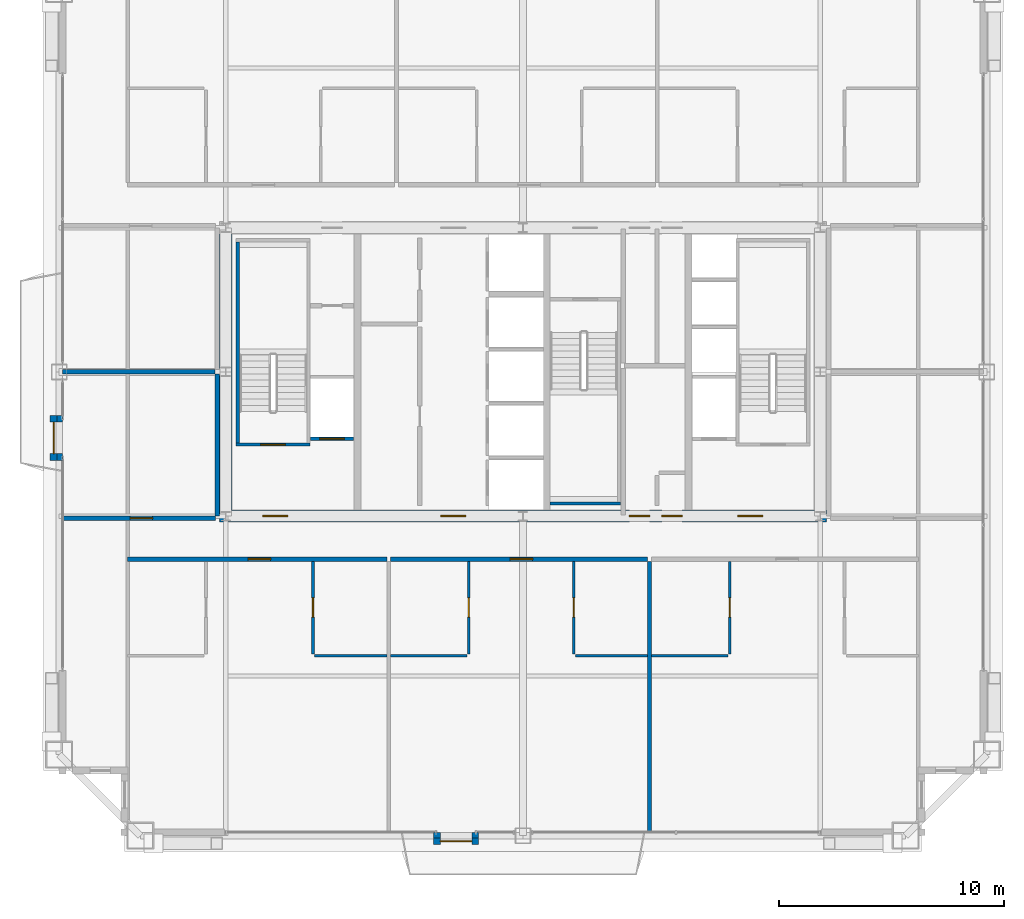
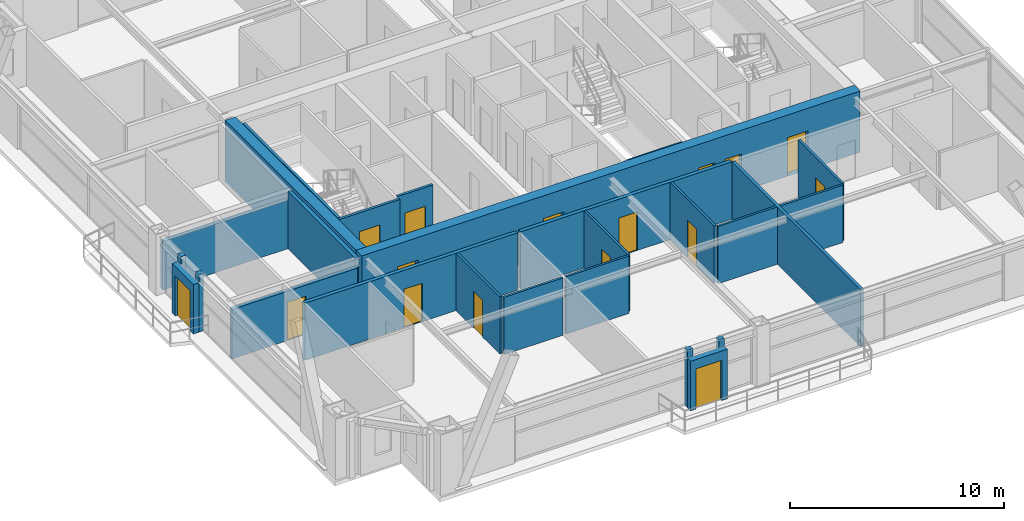
# One storey, part 29 of 33: 26 walls, 16 doors, 16 openings.
"""IFC4 building model written with IfcOpenShell, lengths in metres."""

from ifc_helpers import new_model, si_unit, direction, frame, frame_2d, origin, place, context, subcontext, project, spatial, rectangle, extrude, source, transform, mapped, material, layer, layer_set, type_object, element, fill, save


model = new_model("IFC4")

# Units and contexts
model_context = context("Model", 3, precision=1e-05, world=origin(), true_north=direction((0.0, 1.0)))
body_context = subcontext(model_context, "Body", "Model", "MODEL_VIEW")
ifc_project = project(units=[si_unit("LENGTHUNIT", "METRE"), si_unit("AREAUNIT", "SQUARE_METRE"), si_unit("VOLUMEUNIT", "CUBIC_METRE"), si_unit("PLANEANGLEUNIT", "RADIAN"), si_unit("MASSUNIT", "GRAM", prefix="KILO"), si_unit("THERMODYNAMICTEMPERATUREUNIT", "KELVIN"), si_unit("POWERUNIT", "WATT")], contexts=[model_context])

# Site, building, storey
site_placement = place(None, origin())
site = spatial("IfcSite", under=ifc_project, at=site_placement, CompositionType="ELEMENT")
building_placement = place(site_placement, origin())
building = spatial("IfcBuilding", under=site, at=building_placement, Name="Yuzanri Waterfront Tower", CompositionType="ELEMENT")
storey_placement = place(building_placement, frame((0.0, 0.0, 234.60009765625)))
storey = spatial("IfcBuildingStorey", under=building, at=storey_placement, Name="L62", CompositionType="ELEMENT", Elevation=234.60009765625)

# Wall, opening, door
ifc_material_1 = material(Name="Moisture-Resistant Gypsum Stud Wall", Category="gypsum")
ifc_layer_1 = layer(ifc_material_1, 0.1201171875)
ifc_layer_set_1 = layer_set([ifc_layer_1], Name="Moisture-Resistant Gypsum Stud Wall")
wall_type_1 = type_object("IfcWallType", Name="Bathroom and Kitchen Wet Partition 120", PredefinedType="PARTITIONING", material=ifc_layer_set_1)
wall_1_placement = place(storey_placement, frame((27.669921875, 13.280029296875, 0.0), z_axis=(0.0, 0.0, 1.0), x_axis=(0.0, 1.0, 0.0)))
wall_1 = element("IfcWall", 1, at=wall_1_placement, inside=storey, type_object=wall_type_1, Name="L62 Partition UW-L62-RS1-SUB-2-W", PredefinedType="PARTITIONING", context=body_context, shape_type="SweptSolid", body=[
    extrude(rectangle(XDim=4.10986328125, YDim=0.1201171875, at=frame_2d((2.054931640625, 0.0))), origin(), (0.0, 0.0, 1.0), 3.27978515625),
])
opening_1_placement = place(wall_1_placement, frame((1.6298828125, 0.0, 0.0)))
opening_1 = element("IfcOpeningElement", 2, at=opening_1_placement, cuts=wall_1, Name="Opening ID-0850", PredefinedType="OPENING", context=body_context, shape_type="SweptSolid", body=[
    extrude(rectangle(XDim=0.85009765625, YDim=2.10009765625, at=frame_2d((0.425048828125, 1.050048828125))), frame((0.0, 0.074951171875, 0.0), z_axis=(0.0, -1.0, 0.0), x_axis=(1.0, 0.0, 0.0)), (0.0, 0.0, 1.0), 0.14990234375),
])
ifc_material_2 = material(Name="Moisture-Resistant Lacquered Timber", Category="wood")
door_type_1 = type_object("IfcDoorType", Name="En-Suite Bathroom and Kitchen Swing Door 850x2100", OperationType="NOTDEFINED", PredefinedType="DOOR", material=ifc_material_2)
shared_shape_1 = source(origin(), body_context, "Body", "SweptSolid", [
    extrude(rectangle(XDim=0.85009765625, YDim=2.10009765625, at=frame_2d((0.425048828125, 1.050048828125))), frame((0.0, 0.02490234375, 0.0), z_axis=(0.0, -1.0, 0.0), x_axis=(1.0, 0.0, 0.0)), (0.0, 0.0, 1.0), 0.050048828125),
])
door_1_placement = place(opening_1_placement, origin())
door_1 = element("IfcDoor", 3, at=door_1_placement, inside=storey, type_object=door_type_1, Name="L62 Suite Interior Room Door", OperationType="SINGLE_SWING_RIGHT", OverallHeight=2.10009765625, OverallWidth=0.85009765625, PredefinedType="DOOR", context=body_context, shape_type="MappedRepresentation", body=[
    mapped(shared_shape_1, transform((0.0, 0.0, 0.0), scale=1.0)),
])
fill(opening_1, door_1)

wall_2_placement = place(storey_placement, frame((34.590087890625, 13.280029296875, 0.0), z_axis=(0.0, 0.0, 1.0), x_axis=(0.0, 1.0, 0.0)))
wall_2 = element("IfcWall", 4, at=wall_2_placement, inside=storey, type_object=wall_type_1, Name="L62 Partition UW-L62-RS2-SUB-1-E", PredefinedType="PARTITIONING", context=body_context, shape_type="SweptSolid", body=[
    extrude(rectangle(XDim=4.10986328125, YDim=0.1201171875, at=frame_2d((2.054931640625, 0.0))), origin(), (0.0, 0.0, 1.0), 3.27978515625),
])
opening_2_placement = place(wall_2_placement, frame((1.6298828125, 0.0, 0.0)))
opening_2 = element("IfcOpeningElement", 5, at=opening_2_placement, cuts=wall_2, Name="Opening ID-0850", PredefinedType="OPENING", context=body_context, shape_type="SweptSolid", body=[
    extrude(rectangle(XDim=0.85009765625, YDim=2.10009765625, at=frame_2d((0.425048828125, 1.050048828125))), frame((0.0, 0.074951171875, 0.0), z_axis=(0.0, -1.0, 0.0), x_axis=(1.0, 0.0, 0.0)), (0.0, 0.0, 1.0), 0.14990234375),
])
door_2_placement = place(opening_2_placement, origin())
door_2 = element("IfcDoor", 6, at=door_2_placement, inside=storey, type_object=door_type_1, Name="L62 Suite Interior Room Door", OperationType="SINGLE_SWING_RIGHT", OverallHeight=2.10009765625, OverallWidth=0.85009765625, PredefinedType="DOOR", context=body_context, shape_type="MappedRepresentation", body=[
    mapped(shared_shape_1, transform((0.0, 0.0, 0.0), scale=1.0)),
])
fill(opening_2, door_2)

wall_3_placement = place(storey_placement, frame((39.259033203125, 13.280029296875, 0.0), z_axis=(0.0, 0.0, 1.0), x_axis=(0.0, 1.0, 0.0)))
wall_3 = element("IfcWall", 7, at=wall_3_placement, inside=storey, type_object=wall_type_1, Name="L62 Partition UW-L62-RS2-SUB-2-W", PredefinedType="PARTITIONING", context=body_context, shape_type="SweptSolid", body=[
    extrude(rectangle(XDim=4.10986328125, YDim=0.1201171875, at=frame_2d((2.054931640625, 0.0))), origin(), (0.0, 0.0, 1.0), 3.27978515625),
])
opening_3_placement = place(wall_3_placement, frame((1.6298828125, 0.0, 0.0)))
opening_3 = element("IfcOpeningElement", 8, at=opening_3_placement, cuts=wall_3, Name="Opening ID-0850", PredefinedType="OPENING", context=body_context, shape_type="SweptSolid", body=[
    extrude(rectangle(XDim=0.85009765625, YDim=2.10009765625, at=frame_2d((0.425048828125, 1.050048828125))), frame((0.0, 0.074951171875, 0.0), z_axis=(0.0, -1.0, 0.0), x_axis=(1.0, 0.0, 0.0)), (0.0, 0.0, 1.0), 0.14990234375),
])
door_3_placement = place(opening_3_placement, origin())
door_3 = element("IfcDoor", 9, at=door_3_placement, inside=storey, type_object=door_type_1, Name="L62 Suite Interior Room Door", OperationType="SINGLE_SWING_LEFT", OverallHeight=2.10009765625, OverallWidth=0.85009765625, PredefinedType="DOOR", context=body_context, shape_type="MappedRepresentation", body=[
    mapped(shared_shape_1, transform((0.0, 0.0, 0.0), scale=1.0)),
])
fill(opening_3, door_3)

wall_4_placement = place(storey_placement, frame((46.178955078125, 13.280029296875, 0.0), z_axis=(0.0, 0.0, 1.0), x_axis=(0.0, 1.0, 0.0)))
wall_4 = element("IfcWall", 10, at=wall_4_placement, inside=storey, type_object=wall_type_1, Name="L62 Partition UW-L62-RS3-SUB-1-E", PredefinedType="PARTITIONING", context=body_context, shape_type="SweptSolid", body=[
    extrude(rectangle(XDim=4.10986328125, YDim=0.1201171875, at=frame_2d((2.054931640625, 0.0))), origin(), (0.0, 0.0, 1.0), 3.27978515625),
])
opening_4_placement = place(wall_4_placement, frame((1.6298828125, 0.0, 0.0)))
opening_4 = element("IfcOpeningElement", 11, at=opening_4_placement, cuts=wall_4, Name="Opening ID-0850", PredefinedType="OPENING", context=body_context, shape_type="SweptSolid", body=[
    extrude(rectangle(XDim=0.85009765625, YDim=2.10009765625, at=frame_2d((0.425048828125, 1.050048828125))), frame((0.0, 0.074951171875, 0.0), z_axis=(0.0, -1.0, 0.0), x_axis=(1.0, 0.0, 0.0)), (0.0, 0.0, 1.0), 0.14990234375),
])
door_4_placement = place(opening_4_placement, origin())
door_4 = element("IfcDoor", 12, at=door_4_placement, inside=storey, type_object=door_type_1, Name="L62 Suite Interior Room Door", OperationType="SINGLE_SWING_LEFT", OverallHeight=2.10009765625, OverallWidth=0.85009765625, PredefinedType="DOOR", context=body_context, shape_type="MappedRepresentation", body=[
    mapped(shared_shape_1, transform((0.0, 0.0, 0.0), scale=1.0)),
])
fill(opening_4, door_4)

ifc_material_3 = material(Name="Honed Chongqing Dark Basalt Stone", Category="masonry")
ifc_layer_2 = layer(ifc_material_3, 0.300048828125)
ifc_layer_set_2 = layer_set([ifc_layer_2], Name="Honed Chongqing Dark Basalt Stone")
wall_type_2 = type_object("IfcWallType", Name="Bronze Rainscreen Insulated Spandrel Portal Wall 300", PredefinedType="SOLIDWALL", material=ifc_layer_set_2)
wall_5_placement = place(storey_placement, frame((33.031982421875, 4.949951171875, 0.0), z_axis=(0.0, 0.0, 1.0), x_axis=(1.0, 0.0, 0.0)))
wall_5 = element("IfcWall", 13, at=wall_5_placement, inside=storey, type_object=wall_type_2, Name="L62 S Terrace Door Portal Wall", PredefinedType="SOLIDWALL", context=body_context, shape_type="SweptSolid", body=[
    extrude(rectangle(XDim=2.0, YDim=0.300048828125, at=frame_2d((1.0, 0.0))), origin(), (0.0, 0.0, 1.0), 2.8349609375),
])
opening_5_placement = place(wall_5_placement, frame((0.300048828125, 0.0, 0.0)))
opening_5 = element("IfcOpeningElement", 14, at=opening_5_placement, cuts=wall_5, Name="Opening TD-1400", PredefinedType="OPENING", context=body_context, shape_type="SweptSolid", body=[
    extrude(rectangle(XDim=1.39990234375, YDim=2.300048828125, at=frame_2d((0.699951171875, 1.14990234375))), frame((0.0, 0.1650390625, 0.0), z_axis=(0.0, -1.0, 0.0), x_axis=(1.0, 0.0, 0.0)), (0.0, 0.0, 1.0), 0.329833984375),
])
ifc_material_4 = material(Name="Anodized Architectural Bronze", Category="metal")
door_type_2 = type_object("IfcDoorType", Name="Anodized Bronze Balcony and Terrace Glazed Double Door 1400x2300", OperationType="NOTDEFINED", PredefinedType="DOOR", material=ifc_material_4)
shared_shape_2 = source(origin(), body_context, "Body", "SweptSolid", [
    extrude(rectangle(XDim=1.39990234375, YDim=2.300048828125, at=frame_2d((0.699951171875, 1.14990234375))), frame((0.0, 0.02490234375, 0.0), z_axis=(0.0, -1.0, 0.0), x_axis=(1.0, 0.0, 0.0)), (0.0, 0.0, 1.0), 0.050048828125),
])
door_5_placement = place(opening_5_placement, origin())
door_5 = element("IfcDoor", 15, at=door_5_placement, inside=storey, type_object=door_type_2, Name="L62 S Terrace Glazed Double Door", OperationType="DOUBLE_DOOR_SINGLE_SWING", OverallHeight=2.300048828125, OverallWidth=1.39990234375, PredefinedType="DOOR", context=body_context, shape_type="MappedRepresentation", body=[
    mapped(shared_shape_2, transform((0.0, 0.0, 0.0), scale=1.0)),
])
fill(opening_5, door_5)

wall_6_placement = place(storey_placement, frame((16.14990234375, 21.875, 0.0), z_axis=(0.0, 0.0, 1.0), x_axis=(0.0, 1.0, 0.0)))
wall_6 = element("IfcWall", 16, at=wall_6_placement, inside=storey, type_object=wall_type_2, Name="L62 W Terrace Door Portal Wall", PredefinedType="SOLIDWALL", context=body_context, shape_type="SweptSolid", body=[
    extrude(rectangle(XDim=2.0, YDim=0.300048828125, at=frame_2d((1.0, 0.0))), origin(), (0.0, 0.0, 1.0), 2.8349609375),
])
opening_6_placement = place(wall_6_placement, frame((0.300048828125, 0.0, 0.0)))
opening_6 = element("IfcOpeningElement", 17, at=opening_6_placement, cuts=wall_6, Name="Opening TD-1400", PredefinedType="OPENING", context=body_context, shape_type="SweptSolid", body=[
    extrude(rectangle(XDim=1.39990234375, YDim=2.300048828125, at=frame_2d((0.699951171875, 1.14990234375))), frame((0.0, 0.1650390625, 0.0), z_axis=(0.0, -1.0, 0.0), x_axis=(1.0, 0.0, 0.0)), (0.0, 0.0, 1.0), 0.329833984375),
])
door_6_placement = place(opening_6_placement, origin())
door_6 = element("IfcDoor", 18, at=door_6_placement, inside=storey, type_object=door_type_2, Name="L62 W Terrace Glazed Double Door", OperationType="DOUBLE_DOOR_SINGLE_SWING", OverallHeight=2.300048828125, OverallWidth=1.39990234375, PredefinedType="DOOR", context=body_context, shape_type="MappedRepresentation", body=[
    mapped(shared_shape_2, transform((0.0, 0.0, 0.0), scale=1.0)),
])
fill(opening_6, door_6)

# Wall, openings, doors
ifc_material_5 = material(Name="Concrete C50", Category="concrete")
ifc_layer_3 = layer(ifc_material_5, 0.550048828125)
ifc_layer_set_3 = layer_set([ifc_layer_3], Name="Concrete C50")
wall_type_3 = type_object("IfcWallType", Name="Concrete C50 Upper-Mid Zone Core Shear Wall 550", PredefinedType="SHEAR", material=ifc_layer_set_3)
wall_7_placement = place(storey_placement, frame((23.52490234375, 19.39990234375, 0.0), z_axis=(0.0, 0.0, 1.0), x_axis=(1.0, 0.0, 0.0)))
wall_7 = element("IfcWall", 19, at=wall_7_placement, inside=storey, type_object=wall_type_3, Name="L62 Core South Shear Wall", PredefinedType="SHEAR", context=body_context, shape_type="SweptSolid", body=[
    extrude(rectangle(XDim=26.9501953125, YDim=0.550048828125, at=frame_2d((13.47509765625, 0.0))), origin(), (0.0, 0.0, 1.0), 3.5),
])
opening_7_placement = place(wall_7_placement, frame((1.925048828125, 0.0, 0.0)))
opening_7 = element("IfcOpeningElement", 20, at=opening_7_placement, cuts=wall_7, Name="Opening FD-1100", PredefinedType="OPENING", context=body_context, shape_type="SweptSolid", body=[
    extrude(rectangle(XDim=1.10009765625, YDim=2.199951171875, at=frame_2d((0.550048828125, 1.10009765625))), frame((0.0, 0.2900390625, 0.0), z_axis=(0.0, -1.0, 0.0), x_axis=(1.0, 0.0, 0.0)), (0.0, 0.0, 1.0), 0.579833984375),
])
opening_8_placement = place(wall_7_placement, frame((9.824951171875, 0.0, 0.0)))
opening_8 = element("IfcOpeningElement", 21, at=opening_8_placement, cuts=wall_7, Name="Opening FD-1100", PredefinedType="OPENING", context=body_context, shape_type="SweptSolid", body=[
    extrude(rectangle(XDim=1.10009765625, YDim=2.199951171875, at=frame_2d((0.550048828125, 1.10009765625))), frame((0.0, 0.2900390625, 0.0), z_axis=(0.0, -1.0, 0.0), x_axis=(1.0, 0.0, 0.0)), (0.0, 0.0, 1.0), 0.579833984375),
])
opening_9_placement = place(wall_7_placement, frame((23.02490234375, 0.0, 0.0)))
opening_9 = element("IfcOpeningElement", 22, at=opening_9_placement, cuts=wall_7, Name="Opening FD-1100", PredefinedType="OPENING", context=body_context, shape_type="SweptSolid", body=[
    extrude(rectangle(XDim=1.10009765625, YDim=2.199951171875, at=frame_2d((0.550048828125, 1.10009765625))), frame((0.0, 0.2900390625, 0.0), z_axis=(0.0, -1.0, 0.0), x_axis=(1.0, 0.0, 0.0)), (0.0, 0.0, 1.0), 0.579833984375),
])
opening_10_placement = place(wall_7_placement, frame((19.64501953125, 0.0, 0.0)))
opening_10 = element("IfcOpeningElement", 23, at=opening_10_placement, cuts=wall_7, Name="Opening FD-0900", PredefinedType="OPENING", context=body_context, shape_type="SweptSolid", body=[
    extrude(rectangle(XDim=0.89990234375, YDim=2.14990234375, at=frame_2d((0.449951171875, 1.074951171875))), frame((0.0, 0.2900390625, 0.0), z_axis=(0.0, -1.0, 0.0), x_axis=(1.0, 0.0, 0.0)), (0.0, 0.0, 1.0), 0.579833984375),
])
opening_11_placement = place(wall_7_placement, frame((18.205078125, 0.0, 0.0)))
opening_11 = element("IfcOpeningElement", 24, at=opening_11_placement, cuts=wall_7, Name="Opening FD-0900", PredefinedType="OPENING", context=body_context, shape_type="SweptSolid", body=[
    extrude(rectangle(XDim=0.89990234375, YDim=2.14990234375, at=frame_2d((0.449951171875, 1.074951171875))), frame((0.0, 0.2900390625, 0.0), z_axis=(0.0, -1.0, 0.0), x_axis=(1.0, 0.0, 0.0)), (0.0, 0.0, 1.0), 0.579833984375),
])
ifc_material_6 = material(Name="Painted Galvanized Fire Steel", Category="steel")
door_type_3 = type_object("IfcDoorType", Name="Smoke-Proof Stair and Lobby Fire Door 1100x2200", OperationType="NOTDEFINED", PredefinedType="DOOR", material=ifc_material_6)
shared_shape_3 = source(origin(), body_context, "Body", "SweptSolid", [
    extrude(rectangle(XDim=1.10009765625, YDim=2.199951171875, at=frame_2d((0.550048828125, 1.10009765625))), frame((0.0, 0.02490234375, 0.0), z_axis=(0.0, -1.0, 0.0), x_axis=(1.0, 0.0, 0.0)), (0.0, 0.0, 1.0), 0.050048828125),
])
door_7_placement = place(opening_7_placement, origin())
door_7 = element("IfcDoor", 25, at=door_7_placement, inside=storey, type_object=door_type_3, Name="L62 West Firefighting Lobby Door", OperationType="SINGLE_SWING_LEFT", OverallHeight=2.199951171875, OverallWidth=1.10009765625, PredefinedType="DOOR", context=body_context, shape_type="MappedRepresentation", body=[
    mapped(shared_shape_3, transform((0.0, 0.0, 0.0), scale=1.0)),
])
fill(opening_7, door_7)
door_8_placement = place(opening_8_placement, origin())
door_8 = element("IfcDoor", 26, at=door_8_placement, inside=storey, type_object=door_type_3, Name="L62 Central Lift Lobby South Door", OperationType="SINGLE_SWING_RIGHT", OverallHeight=2.199951171875, OverallWidth=1.10009765625, PredefinedType="DOOR", context=body_context, shape_type="MappedRepresentation", body=[
    mapped(shared_shape_3, transform((0.0, 0.0, 0.0), scale=1.0)),
])
fill(opening_8, door_8)
door_9_placement = place(opening_9_placement, origin())
door_9 = element("IfcDoor", 27, at=door_9_placement, inside=storey, type_object=door_type_3, Name="L62 East Firefighting Lobby Door", OperationType="SINGLE_SWING_LEFT", OverallHeight=2.199951171875, OverallWidth=1.10009765625, PredefinedType="DOOR", context=body_context, shape_type="MappedRepresentation", body=[
    mapped(shared_shape_3, transform((0.0, 0.0, 0.0), scale=1.0)),
])
fill(opening_9, door_9)
ifc_material_7 = material(Name="Painted Galvanized Fire Steel", Category="steel")
door_type_4 = type_object("IfcDoorType", Name="Riser and Service Room Fire Door 900x2150", OperationType="NOTDEFINED", PredefinedType="DOOR", material=ifc_material_7)
shared_shape_4 = source(origin(), body_context, "Body", "SweptSolid", [
    extrude(rectangle(XDim=0.89990234375, YDim=2.14990234375, at=frame_2d((0.449951171875, 1.074951171875))), frame((0.0, 0.02490234375, 0.0), z_axis=(0.0, -1.0, 0.0), x_axis=(1.0, 0.0, 0.0)), (0.0, 0.0, 1.0), 0.050048828125),
])
door_10_placement = place(opening_10_placement, origin())
door_10 = element("IfcDoor", 28, at=door_10_placement, inside=storey, type_object=door_type_4, Name="L62 East Wet Riser Door", OperationType="SINGLE_SWING_RIGHT", OverallHeight=2.14990234375, OverallWidth=0.89990234375, PredefinedType="DOOR", context=body_context, shape_type="MappedRepresentation", body=[
    mapped(shared_shape_4, transform((0.0, 0.0, 0.0), scale=1.0)),
])
fill(opening_10, door_10)
door_11_placement = place(opening_11_placement, origin())
door_11 = element("IfcDoor", 29, at=door_11_placement, inside=storey, type_object=door_type_4, Name="L62 Cleaners Store Room", OperationType="SINGLE_SWING_LEFT", OverallHeight=2.14990234375, OverallWidth=0.89990234375, PredefinedType="DOOR", context=body_context, shape_type="MappedRepresentation", body=[
    mapped(shared_shape_4, transform((0.0, 0.0, 0.0), scale=1.0)),
])
fill(opening_11, door_11)

# Wall, opening, door
ifc_material_8 = material(Name="Concrete C40", Category="concrete")
ifc_layer_4 = layer(ifc_material_8, 0.139892578125)
ifc_layer_set_4 = layer_set([ifc_layer_4], Name="Concrete C40")
wall_type_4 = type_object("IfcWallType", Name="Core Stair Liner and Hoistway Shaft Wall 140", PredefinedType="SOLIDWALL", material=ifc_layer_set_4)
wall_8_placement = place(storey_placement, frame((27.56005859375, 22.830078125, 0.0), z_axis=(0.0, 0.0, 1.0), x_axis=(1.0, 0.0, 0.0)))
wall_8 = element("IfcWall", 30, at=wall_8_placement, inside=storey, type_object=wall_type_4, Name="L62 Lift FL-01 Front Shaft Wall", PredefinedType="SOLIDWALL", context=body_context, shape_type="SweptSolid", body=[
    extrude(rectangle(XDim=1.919921875, YDim=0.139892578125, at=frame_2d((0.9599609375, 0.0))), origin(), (0.0, 0.0, 1.0), 3.27978515625),
])
opening_12_placement = place(wall_8_placement, frame((0.409912109375, 0.0, 0.0)))
opening_12 = element("IfcOpeningElement", 31, at=opening_12_placement, cuts=wall_8, Name="Opening LD-FL-01", PredefinedType="OPENING", context=body_context, shape_type="SweptSolid", body=[
    extrude(rectangle(XDim=1.10009765625, YDim=2.199951171875, at=frame_2d((0.550048828125, 1.10009765625))), frame((0.0, 0.0849609375, 0.0), z_axis=(0.0, -1.0, 0.0), x_axis=(1.0, 0.0, 0.0)), (0.0, 0.0, 1.0), 0.169677734375),
])
ifc_material_9 = material(Name="Brushed Bronze and Stainless Steel Cab", Category="steel")
door_type_5 = type_object("IfcDoorType", Name="Center-Parting Bronze Lift Landing Sliding Door 1100x2200", OperationType="NOTDEFINED", PredefinedType="DOOR", material=ifc_material_9)
shared_shape_5 = source(origin(), body_context, "Body", "SweptSolid", [
    extrude(rectangle(XDim=1.10009765625, YDim=2.199951171875, at=frame_2d((0.550048828125, 1.10009765625))), frame((0.0, 0.02490234375, 0.0), z_axis=(0.0, -1.0, 0.0), x_axis=(1.0, 0.0, 0.0)), (0.0, 0.0, 1.0), 0.050048828125),
])
door_12_placement = place(opening_12_placement, origin())
door_12 = element("IfcDoor", 32, at=door_12_placement, inside=storey, type_object=door_type_5, Name="L62 FL-01 Lift Landing Sliding Door", OperationType="SLIDING_TO_LEFT", OverallHeight=2.199951171875, OverallWidth=1.10009765625, PredefinedType="DOOR", context=body_context, shape_type="MappedRepresentation", body=[
    mapped(shared_shape_5, transform((0.0, 0.0, 0.0), scale=1.0)),
])
fill(opening_12, door_12)

wall_9_placement = place(storey_placement, frame((24.260009765625, 22.570068359375, 0.0), z_axis=(0.0, 0.0, 1.0), x_axis=(1.0, 0.0, 0.0)))
wall_9 = element("IfcWall", 33, at=wall_9_placement, inside=storey, type_object=wall_type_4, Name="L62 Shaft Wall STW-L62-ST-01-S", PredefinedType="SOLIDWALL", context=body_context, shape_type="SweptSolid", body=[
    extrude(rectangle(XDim=3.280029296875, YDim=0.139892578125, at=frame_2d((1.64013671875, 0.0))), origin(), (0.0, 0.0, 1.0), 3.27978515625),
])
opening_13_placement = place(wall_9_placement, frame((1.090087890625, 0.0, 0.0)))
opening_13 = element("IfcOpeningElement", 34, at=opening_13_placement, cuts=wall_9, Name="Opening FD-1100", PredefinedType="OPENING", context=body_context, shape_type="SweptSolid", body=[
    extrude(rectangle(XDim=1.10009765625, YDim=2.199951171875, at=frame_2d((0.550048828125, 1.10009765625))), frame((0.0, 0.0849609375, 0.0), z_axis=(0.0, -1.0, 0.0), x_axis=(1.0, 0.0, 0.0)), (0.0, 0.0, 1.0), 0.169677734375),
])
door_13_placement = place(opening_13_placement, origin())
door_13 = element("IfcDoor", 35, at=door_13_placement, inside=storey, type_object=door_type_3, Name="L62 Stair ST-01 Fire Door", OperationType="SINGLE_SWING_RIGHT", OverallHeight=2.199951171875, OverallWidth=1.10009765625, PredefinedType="DOOR", context=body_context, shape_type="MappedRepresentation", body=[
    mapped(shared_shape_3, transform((0.0, 0.0, 0.0), scale=1.0)),
])
fill(opening_13, door_13)

ifc_material_10 = material(Name="Autoclaved Aerated Concrete Blockwork", Category="masonry")
ifc_layer_5 = layer(ifc_material_10, 0.199951171875)
ifc_layer_set_5 = layer_set([ifc_layer_5], Name="Autoclaved Aerated Concrete Blockwork")
wall_type_5 = type_object("IfcWallType", Name="Corridor and Unit Party Fire Wall 200", PredefinedType="PARTITIONING", material=ifc_layer_set_5)
wall_10_placement = place(storey_placement, frame((19.43994140625, 17.489990234375, 0.0), z_axis=(0.0, 0.0, 1.0), x_axis=(1.0, 0.0, 0.0)))
wall_10 = element("IfcWall", 36, at=wall_10_placement, inside=storey, type_object=wall_type_5, Name="L62 Partition UW-L62-RS1-CN", PredefinedType="PARTITIONING", context=body_context, shape_type="SweptSolid", body=[
    extrude(rectangle(XDim=11.510009765625, YDim=0.199951171875, at=frame_2d((5.7548828125, 0.0))), origin(), (0.0, 0.0, 1.0), 3.27978515625),
])
opening_14_placement = place(wall_10_placement, frame((5.35498046875, 0.0, 0.0)))
opening_14 = element("IfcOpeningElement", 37, at=opening_14_placement, cuts=wall_10, Name="Opening FD-1000", PredefinedType="OPENING", context=body_context, shape_type="SweptSolid", body=[
    extrude(rectangle(XDim=1.0, YDim=2.199951171875, at=frame_2d((0.5, 1.10009765625))), frame((0.0, 0.11474609375, 0.0), z_axis=(0.0, -1.0, 0.0), x_axis=(1.0, 0.0, 0.0)), (0.0, 0.0, 1.0), 0.229736328125),
])
ifc_material_11 = material(Name="Engineered Oak Fire-Rated Timber", Category="wood")
door_type_6 = type_object("IfcDoorType", Name="Guestroom and Apartment Entrance Fire Door 1000x2200", OperationType="NOTDEFINED", PredefinedType="DOOR", material=ifc_material_11)
shared_shape_6 = source(origin(), body_context, "Body", "SweptSolid", [
    extrude(rectangle(XDim=1.0, YDim=2.199951171875, at=frame_2d((0.5, 1.10009765625))), frame((0.0, 0.02490234375, 0.0), z_axis=(0.0, -1.0, 0.0), x_axis=(1.0, 0.0, 0.0)), (0.0, 0.0, 1.0), 0.050048828125),
])
door_14_placement = place(opening_14_placement, origin())
door_14 = element("IfcDoor", 38, at=door_14_placement, inside=storey, type_object=door_type_6, Name="L62 Studio Living and Sleeping Room Entrance Door", OperationType="SINGLE_SWING_RIGHT", OverallHeight=2.199951171875, OverallWidth=1.0, PredefinedType="DOOR", context=body_context, shape_type="MappedRepresentation", body=[
    mapped(shared_shape_6, transform((0.0, 0.0, 0.0), scale=1.0)),
])
fill(opening_14, door_14)

wall_11_placement = place(storey_placement, frame((31.110107421875, 17.489990234375, 0.0), z_axis=(0.0, 0.0, 1.0), x_axis=(1.0, 0.0, 0.0)))
wall_11 = element("IfcWall", 39, at=wall_11_placement, inside=storey, type_object=wall_type_5, Name="L62 Partition UW-L62-RS2-CN", PredefinedType="PARTITIONING", context=body_context, shape_type="SweptSolid", body=[
    extrude(rectangle(XDim=11.428955078125, YDim=0.199951171875, at=frame_2d((5.71435546875, 0.0))), origin(), (0.0, 0.0, 1.0), 3.27978515625),
])
opening_15_placement = place(wall_11_placement, frame((5.31396484375, 0.0, 0.0)))
opening_15 = element("IfcOpeningElement", 40, at=opening_15_placement, cuts=wall_11, Name="Opening FD-1000", PredefinedType="OPENING", context=body_context, shape_type="SweptSolid", body=[
    extrude(rectangle(XDim=1.0, YDim=2.199951171875, at=frame_2d((0.5, 1.10009765625))), frame((0.0, 0.11474609375, 0.0), z_axis=(0.0, -1.0, 0.0), x_axis=(1.0, 0.0, 0.0)), (0.0, 0.0, 1.0), 0.229736328125),
])
door_15_placement = place(opening_15_placement, origin())
door_15 = element("IfcDoor", 41, at=door_15_placement, inside=storey, type_object=door_type_6, Name="L62 Studio Living and Sleeping Room Entrance Door", OperationType="SINGLE_SWING_LEFT", OverallHeight=2.199951171875, OverallWidth=1.0, PredefinedType="DOOR", context=body_context, shape_type="MappedRepresentation", body=[
    mapped(shared_shape_6, transform((0.0, 0.0, 0.0), scale=1.0)),
])
fill(opening_15, door_15)

wall_12_placement = place(storey_placement, frame((16.550048828125, 19.31005859375, 0.0), z_axis=(0.0, 0.0, 1.0), x_axis=(1.0, 0.0, 0.0)))
wall_12 = element("IfcWall", 42, at=wall_12_placement, inside=storey, type_object=wall_type_5, Name="L62 Partition UW-L62-036-CS", PredefinedType="PARTITIONING", context=body_context, shape_type="SweptSolid", body=[
    extrude(rectangle(XDim=6.800048828125, YDim=0.199951171875, at=frame_2d((3.39990234375, 0.0))), origin(), (0.0, 0.0, 1.0), 2.824951171875),
])
opening_16_placement = place(wall_12_placement, frame((3.0, 0.0, 0.0)))
opening_16 = element("IfcOpeningElement", 43, at=opening_16_placement, cuts=wall_12, Name="Opening FD-1000", PredefinedType="OPENING", context=body_context, shape_type="SweptSolid", body=[
    extrude(rectangle(XDim=1.0, YDim=2.199951171875, at=frame_2d((0.5, 1.10009765625))), frame((0.0, 0.11474609375, 0.0), z_axis=(0.0, -1.0, 0.0), x_axis=(1.0, 0.0, 0.0)), (0.0, 0.0, 1.0), 0.229736328125),
])
door_16_placement = place(opening_16_placement, origin())
door_16 = element("IfcDoor", 44, at=door_16_placement, inside=storey, type_object=door_type_6, Name="L62 Residents W Co-Working Office 1 Entrance Door", OperationType="SINGLE_SWING_RIGHT", OverallHeight=2.199951171875, OverallWidth=1.0, PredefinedType="DOOR", context=body_context, shape_type="MappedRepresentation", body=[
    mapped(shared_shape_6, transform((0.0, 0.0, 0.0), scale=1.0)),
])
fill(opening_16, door_16)

# Walls
shared_shape_7 = source(origin(), body_context, "Body", "SweptSolid", [
    extrude(rectangle(XDim=12.25, YDim=0.550048828125, at=frame_2d((6.125, 0.0))), origin(), (0.0, 0.0, 1.0), 3.5),
])
wall_13_placement = place(storey_placement, frame((23.800048828125, 19.675048828125, 0.0), z_axis=(0.0, 0.0, 1.0), x_axis=(0.0, 1.0, 0.0)))
element("IfcWall", 45, at=wall_13_placement, inside=storey, type_object=wall_type_3, Name="L62 Core West Shear Wall", PredefinedType="SHEAR", context=body_context, shape_type="MappedRepresentation", body=[
    mapped(shared_shape_7, transform((0.0, 0.0, 0.0), scale=1.0)),
])
shared_shape_8 = source(origin(), body_context, "Body", "SweptSolid", [
    extrude(rectangle(XDim=0.25, YDim=0.300048828125, at=frame_2d((0.125, 0.0))), origin(), (0.0, 0.0, 1.0), 3.27978515625),
])
for number, where, z_axis, x_axis, name in (
    (46, (33.181884765625, 5.35009765625, 0.0), (0.0, 0.0, 1.0), (0.0, -1.0, 0.0), "L62 S Terrace Portal Left Return"),
    (47, (34.882080078125, 5.10009765625, 0.0), (0.0, 0.0, 1.0), (0.0, 1.0, 0.0), "L62 S Terrace Portal Right Return"),
    (48, (16.550048828125, 22.02490234375, 0.0), (0.0, 0.0, 1.0), (-1.0, 0.0, 0.0), "L62 W Terrace Portal Left Return"),
    (49, (16.300048828125, 23.72509765625, 0.0), (0.0, 0.0, 1.0), (1.0, 0.0, 0.0), "L62 W Terrace Portal Right Return"),
):
    element("IfcWall", number, at=place(storey_placement, frame(where, z_axis=z_axis, x_axis=x_axis)), inside=storey, type_object=wall_type_2, Name=name, PredefinedType="SOLIDWALL", context=body_context, shape_type="MappedRepresentation", body=[
        mapped(shared_shape_8, transform((0.0, 0.0, 0.0), scale=1.0)),
    ])
shared_shape_9 = source(origin(), body_context, "Body", "SweptSolid", [
    extrude(rectangle(XDim=8.940185546875, YDim=0.139892578125, at=frame_2d((4.47021484375, 0.0))), origin(), (0.0, 0.0, 1.0), 3.27978515625),
])
wall_14_placement = place(storey_placement, frame((24.330078125, 22.639892578125, 0.0), z_axis=(0.0, 0.0, 1.0), x_axis=(0.0, 1.0, 0.0)))
element("IfcWall", 50, at=wall_14_placement, inside=storey, type_object=wall_type_4, Name="L62 Stair ST-01 West Shaft Wall", PredefinedType="SOLIDWALL", context=body_context, shape_type="MappedRepresentation", body=[
    mapped(shared_shape_9, transform((0.0, 0.0, 0.0), scale=1.0)),
])
shared_shape_10 = source(origin(), body_context, "Body", "SweptSolid", [
    extrude(rectangle(XDim=3.14013671875, YDim=0.139892578125, at=frame_2d((1.570068359375, 0.0))), origin(), (0.0, 0.0, 1.0), 3.27978515625),
])
wall_15_placement = place(storey_placement, frame((38.199951171875, 19.949951171875, 0.0), z_axis=(0.0, 0.0, 1.0), x_axis=(1.0, 0.0, 0.0)))
element("IfcWall", 51, at=wall_15_placement, inside=storey, type_object=wall_type_4, Name="L62 Stair ST-03 South Shaft Wall", PredefinedType="SOLIDWALL", context=body_context, shape_type="MappedRepresentation", body=[
    mapped(shared_shape_10, transform((0.0, 0.0, 0.0), scale=1.0)),
])
ifc_material_12 = material(Name="Gypsum Fireboard Acoustic Stud Wall", Category="gypsum")
ifc_layer_6 = layer(ifc_material_12, 0.159912109375)
ifc_layer_set_6 = layer_set([ifc_layer_6], Name="Gypsum Fireboard Acoustic Stud Wall")
wall_type_6 = type_object("IfcWallType", Name="Acoustic Suite Demising Partition 160", PredefinedType="PARTITIONING", material=ifc_layer_set_6)
shared_shape_11 = source(origin(), body_context, "Body", "SweptSolid", [
    extrude(rectangle(XDim=12.039794921875, YDim=0.159912109375, at=frame_2d((6.02001953125, 0.0))), origin(), (0.0, 0.0, 1.0), 3.27978515625),
])
wall_16_placement = place(storey_placement, frame((42.618896484375, 5.35009765625, 0.0), z_axis=(0.0, 0.0, 1.0), x_axis=(0.0, 1.0, 0.0)))
element("IfcWall", 52, at=wall_16_placement, inside=storey, type_object=wall_type_6, Name="L62-RS2 Party Wall", PredefinedType="PARTITIONING", context=body_context, shape_type="MappedRepresentation", body=[
    mapped(shared_shape_11, transform((0.0, 0.0, 0.0), scale=1.0)),
])
shared_shape_12 = source(origin(), body_context, "Body", "SweptSolid", [
    extrude(rectangle(XDim=3.400146484375, YDim=0.1201171875, at=frame_2d((1.7001953125, 0.0))), origin(), (0.0, 0.0, 1.0), 3.27978515625),
])
wall_17_placement = place(storey_placement, frame((42.698974609375, 13.199951171875, 0.0), z_axis=(0.0, 0.0, 1.0), x_axis=(1.0, 0.0, 0.0)))
element("IfcWall", 53, at=wall_17_placement, inside=storey, type_object=wall_type_1, Name="L62 Partition UW-L62-RS3-SUB-1-S", PredefinedType="PARTITIONING", context=body_context, shape_type="MappedRepresentation", body=[
    mapped(shared_shape_12, transform((0.0, 0.0, 0.0), scale=1.0)),
])
shared_shape_13 = source(origin(), body_context, "Body", "SweptSolid", [
    extrude(rectangle(XDim=3.199951171875, YDim=0.1201171875, at=frame_2d((1.60009765625, 0.0))), origin(), (0.0, 0.0, 1.0), 3.27978515625),
])
for number, where, z_axis, x_axis, name in (
    (54, (27.75, 13.199951171875, 0.0), (0.0, 0.0, 1.0), (1.0, 0.0, 0.0), "L62 Partition UW-L62-RS1-SUB-2-S"),
    (55, (39.339111328125, 13.199951171875, 0.0), (0.0, 0.0, 1.0), (1.0, 0.0, 0.0), "L62 Partition UW-L62-RS2-SUB-2-S"),
):
    element("IfcWall", number, at=place(storey_placement, frame(where, z_axis=z_axis, x_axis=x_axis)), inside=storey, type_object=wall_type_1, Name=name, PredefinedType="PARTITIONING", context=body_context, shape_type="MappedRepresentation", body=[
        mapped(shared_shape_13, transform((0.0, 0.0, 0.0), scale=1.0)),
    ])
shared_shape_14 = source(origin(), body_context, "Body", "SweptSolid", [
    extrude(rectangle(XDim=3.39990234375, YDim=0.1201171875, at=frame_2d((1.699951171875, 0.0))), origin(), (0.0, 0.0, 1.0), 3.27978515625),
])
wall_18_placement = place(storey_placement, frame((31.110107421875, 13.199951171875, 0.0), z_axis=(0.0, 0.0, 1.0), x_axis=(1.0, 0.0, 0.0)))
element("IfcWall", 56, at=wall_18_placement, inside=storey, type_object=wall_type_1, Name="L62 Partition UW-L62-RS2-SUB-1-S", PredefinedType="PARTITIONING", context=body_context, shape_type="MappedRepresentation", body=[
    mapped(shared_shape_14, transform((0.0, 0.0, 0.0), scale=1.0)),
])
shared_shape_15 = source(origin(), body_context, "Body", "SweptSolid", [
    extrude(rectangle(XDim=6.764892578125, YDim=0.199951171875, at=frame_2d((3.38232421875, 0.0))), origin(), (0.0, 0.0, 1.0), 2.786865234375),
])
wall_19_placement = place(storey_placement, frame((16.550048828125, 25.800048828125, 0.0), z_axis=(0.0, 0.0, 1.0), x_axis=(1.0, 0.0, 0.0)))
element("IfcWall", 57, at=wall_19_placement, inside=storey, type_object=wall_type_5, Name="L62-036 Wing North Wall", PredefinedType="PARTITIONING", context=body_context, shape_type="MappedRepresentation", body=[
    mapped(shared_shape_15, transform((0.0, 0.0, 0.0), scale=1.0)),
])
shared_shape_16 = source(origin(), body_context, "Body", "SweptSolid", [
    extrude(rectangle(XDim=6.2900390625, YDim=0.199951171875, at=frame_2d((3.14501953125, 0.0))), origin(), (0.0, 0.0, 1.0), 3.27978515625),
])
wall_20_placement = place(storey_placement, frame((23.419921875, 19.409912109375, 0.0), z_axis=(0.0, 0.0, 1.0), x_axis=(0.0, 1.0, 0.0)))
element("IfcWall", 58, at=wall_20_placement, inside=storey, type_object=wall_type_5, Name="L62-036 Wing Inner Core-Side Wall", PredefinedType="PARTITIONING", context=body_context, shape_type="MappedRepresentation", body=[
    mapped(shared_shape_16, transform((0.0, 0.0, 0.0), scale=1.0)),
])

save(model, "model.ifc")
